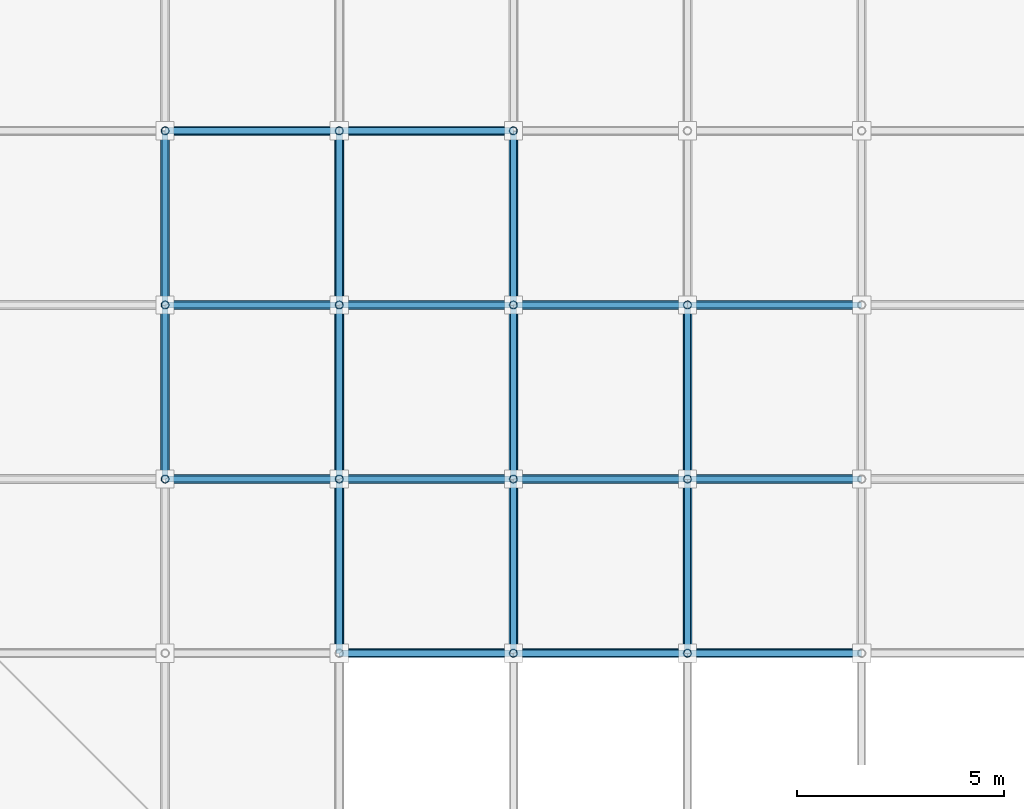
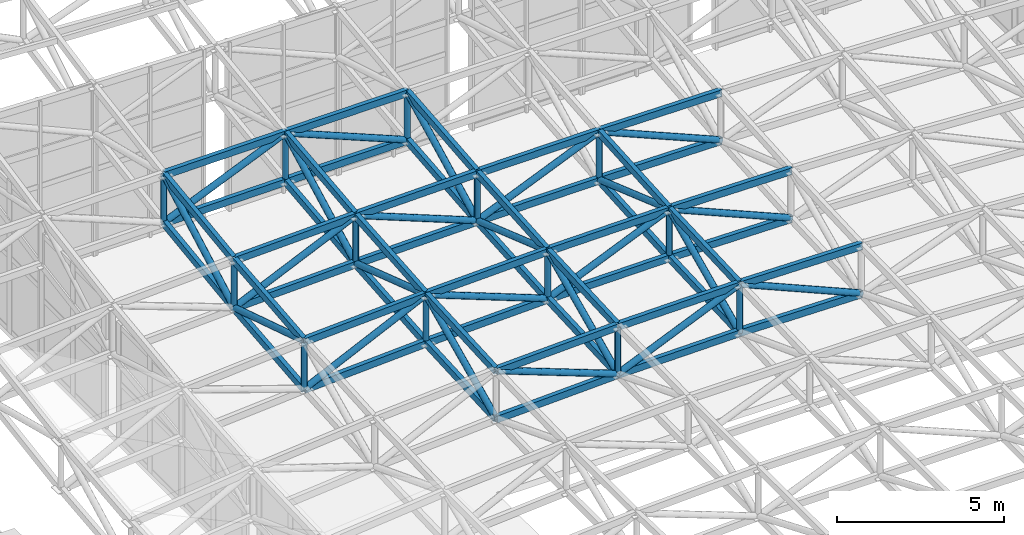
# One storey, part 28 of 132: 82 members.
"""IFC4 building model written with IfcOpenShell, lengths in metres."""

from ifc_helpers import new_model, si_unit, direction, frame, origin, origin_2d, place, context, subcontext, project, spatial, hollow_rectangle, hollow_circle, extrude, material, material_profile, profile_set, type_object, element, save


model = new_model("IFC4")

# Units and contexts
model_context = context("Model", 3, precision=1e-05, world=origin(), true_north=direction((0.0, 1.0)))
body_context = subcontext(model_context, "Body", "Model", "MODEL_VIEW")
ifc_project = project(units=[si_unit("LENGTHUNIT", "METRE"), si_unit("AREAUNIT", "SQUARE_METRE"), si_unit("VOLUMEUNIT", "CUBIC_METRE"), si_unit("PLANEANGLEUNIT", "RADIAN"), si_unit("MASSUNIT", "GRAM", prefix="KILO")], contexts=[model_context])

# Site, building, storey
site_placement = place(None, origin())
site = spatial("IfcSite", under=ifc_project, at=site_placement, CompositionType="ELEMENT")
building_placement = place(site_placement, origin())
building = spatial("IfcBuilding", under=site, at=building_placement, Name="Cumbredor Promenade Congress Hotel", CompositionType="ELEMENT")
storey_placement = place(building_placement, frame((0.0, 0.0, 7.56005859375)))
storey = spatial("IfcBuildingStorey", under=building, at=storey_placement, Name="L02", CompositionType="ELEMENT", Elevation=7.56005859375)

# Members
ifc_material = material(Name="Steel ASTM A500 Grade C", Category="steel")
ifc_material_profile_1 = material_profile(ifc_material, hollow_rectangle(XDim=0.14990234375, YDim=0.25, WallThickness=0.012451171875, at=origin_2d()), Name="HSS 250x150x12.5")
ifc_profile_set_1 = profile_set([ifc_material_profile_1], Name="Steel ASTM A500 Grade C")
member_type_1 = type_object("IfcMemberType", Name="Spa Roof Space Frame Chord", PredefinedType="CHORD", material=ifc_profile_set_1)
for number, where, z_axis, x_axis, name in (
    (1, (84.0, 33.60009765625, 4.450439453125), (0.99924695008, 0.0, 0.038801195295), (0.0, 1.0, 0.0), "Thermal Spa and Hydrotherapy Pavilion X Top Chord 4.9"),
    (2, (84.0, 33.60009765625, 2.700439453125), (0.99924695008, 0.0, 0.038801195295), (0.0, 1.0, 0.0), "Thermal Spa and Hydrotherapy Pavilion X Bottom Chord 4.9"),
):
    element("IfcMember", number, at=place(storey_placement, frame(where, z_axis=z_axis, x_axis=x_axis)), inside=storey, type_object=member_type_1, Name=name, PredefinedType="CHORD", context=body_context, shape_type="SweptSolid", body=[
        extrude(hollow_rectangle(XDim=0.14990234375, YDim=0.25, WallThickness=0.012451171875, at=origin_2d()), origin(), (0.0, 0.0, 1.0), 4.203125),
    ])
for number, where, z_axis, x_axis, name in (
    (3, (88.199951171875, 33.60009765625, 4.613525390625), (0.999915237757, 0.0, 0.013019881024), (0.0, 1.0, 0.0), "Thermal Spa and Hydrotherapy Pavilion X Top Chord 5.9"),
    (4, (88.199951171875, 33.60009765625, 2.863525390625), (0.999915237757, 0.0, 0.013019881024), (0.0, 1.0, 0.0), "Thermal Spa and Hydrotherapy Pavilion X Bottom Chord 5.9"),
):
    element("IfcMember", number, at=place(storey_placement, frame(where, z_axis=z_axis, x_axis=x_axis)), inside=storey, type_object=member_type_1, Name=name, PredefinedType="CHORD", context=body_context, shape_type="SweptSolid", body=[
        extrude(hollow_rectangle(XDim=0.14990234375, YDim=0.25, WallThickness=0.012451171875, at=origin_2d()), origin(), (0.0, 0.0, 1.0), 4.2001953125),
    ])
for number, where, z_axis, x_axis, name in (
    (5, (92.39990234375, 33.60009765625, 4.668212890625), (0.999915247609, 0.0, -0.013019124359), (0.0, 1.0, 0.0), "Thermal Spa and Hydrotherapy Pavilion X Top Chord 6.9"),
    (6, (92.39990234375, 33.60009765625, 2.918212890625), (0.999915247609, 0.0, -0.013019124359), (0.0, 1.0, 0.0), "Thermal Spa and Hydrotherapy Pavilion X Bottom Chord 6.9"),
):
    element("IfcMember", number, at=place(storey_placement, frame(where, z_axis=z_axis, x_axis=x_axis)), inside=storey, type_object=member_type_1, Name=name, PredefinedType="CHORD", context=body_context, shape_type="SweptSolid", body=[
        extrude(hollow_rectangle(XDim=0.14990234375, YDim=0.25, WallThickness=0.012451171875, at=origin_2d()), origin(), (0.0, 0.0, 1.0), 4.200439453125),
    ])
for number, where, z_axis, x_axis, name in (
    (7, (79.800048828125, 37.800048828125, 4.458984375), (0.998616064852, 0.0, 0.052592347541), (0.0, 1.0, 0.0), "Thermal Spa and Hydrotherapy Pavilion X Top Chord 3.10"),
    (8, (79.800048828125, 37.800048828125, 2.708984375), (0.998616064852, 0.0, 0.052592347541), (0.0, 1.0, 0.0), "Thermal Spa and Hydrotherapy Pavilion X Bottom Chord 3.10"),
):
    element("IfcMember", number, at=place(storey_placement, frame(where, z_axis=z_axis, x_axis=x_axis)), inside=storey, type_object=member_type_1, Name=name, PredefinedType="CHORD", context=body_context, shape_type="SweptSolid", body=[
        extrude(hollow_rectangle(XDim=0.14990234375, YDim=0.25, WallThickness=0.012451171875, at=origin_2d()), origin(), (0.0, 0.0, 1.0), 4.205810546875),
    ])
for number, where, z_axis, x_axis, name in (
    (9, (84.0, 37.800048828125, 4.68017578125), (0.999502220604, 0.0, 0.031548550008), (0.0, 1.0, 0.0), "Thermal Spa and Hydrotherapy Pavilion X Top Chord 4.10"),
    (10, (84.0, 37.800048828125, 2.93017578125), (0.999502220604, 0.0, 0.031548550008), (0.0, 1.0, 0.0), "Thermal Spa and Hydrotherapy Pavilion X Bottom Chord 4.10"),
):
    element("IfcMember", number, at=place(storey_placement, frame(where, z_axis=z_axis, x_axis=x_axis)), inside=storey, type_object=member_type_1, Name=name, PredefinedType="CHORD", context=body_context, shape_type="SweptSolid", body=[
        extrude(hollow_rectangle(XDim=0.14990234375, YDim=0.25, WallThickness=0.012451171875, at=origin_2d()), origin(), (0.0, 0.0, 1.0), 4.2021484375),
    ])
for number, where, z_axis, x_axis, name in (
    (11, (88.199951171875, 37.800048828125, 4.812744140625), (0.999944041257, 0.0, 0.01057895806), (0.0, 1.0, 0.0), "Thermal Spa and Hydrotherapy Pavilion X Top Chord 5.10"),
    (12, (88.199951171875, 37.800048828125, 3.062744140625), (0.999944041257, 0.0, 0.01057895806), (0.0, 1.0, 0.0), "Thermal Spa and Hydrotherapy Pavilion X Bottom Chord 5.10"),
):
    element("IfcMember", number, at=place(storey_placement, frame(where, z_axis=z_axis, x_axis=x_axis)), inside=storey, type_object=member_type_1, Name=name, PredefinedType="CHORD", context=body_context, shape_type="SweptSolid", body=[
        extrude(hollow_rectangle(XDim=0.14990234375, YDim=0.25, WallThickness=0.012451171875, at=origin_2d()), origin(), (0.0, 0.0, 1.0), 4.2001953125),
    ])
for number, where, z_axis, x_axis, name in (
    (13, (92.39990234375, 37.800048828125, 4.857177734375), (0.999944047762, 0.0, -0.010578343216), (0.0, 1.0, 0.0), "Thermal Spa and Hydrotherapy Pavilion X Top Chord 6.10"),
    (14, (92.39990234375, 37.800048828125, 3.107177734375), (0.999944047762, 0.0, -0.010578343216), (0.0, 1.0, 0.0), "Thermal Spa and Hydrotherapy Pavilion X Bottom Chord 6.10"),
):
    element("IfcMember", number, at=place(storey_placement, frame(where, z_axis=z_axis, x_axis=x_axis)), inside=storey, type_object=member_type_1, Name=name, PredefinedType="CHORD", context=body_context, shape_type="SweptSolid", body=[
        extrude(hollow_rectangle(XDim=0.14990234375, YDim=0.25, WallThickness=0.012451171875, at=origin_2d()), origin(), (0.0, 0.0, 1.0), 4.200439453125),
    ])
for number, where, z_axis, x_axis, name in (
    (15, (79.800048828125, 42.0, 4.8798828125), (0.999406413259, 0.0, 0.03445027048), (0.0, 1.0, 0.0), "Thermal Spa and Hydrotherapy Pavilion X Top Chord 3.11"),
    (16, (79.800048828125, 42.0, 3.1298828125), (0.999406413259, 0.0, 0.03445027048), (0.0, 1.0, 0.0), "Thermal Spa and Hydrotherapy Pavilion X Bottom Chord 3.11"),
):
    element("IfcMember", number, at=place(storey_placement, frame(where, z_axis=z_axis, x_axis=x_axis)), inside=storey, type_object=member_type_1, Name=name, PredefinedType="CHORD", context=body_context, shape_type="SweptSolid", body=[
        extrude(hollow_rectangle(XDim=0.14990234375, YDim=0.25, WallThickness=0.012451171875, at=origin_2d()), origin(), (0.0, 0.0, 1.0), 4.202392578125),
    ])
for number, where, z_axis, x_axis, name in (
    (17, (84.0, 42.0, 5.024658203125), (0.999785946585, 0.0, 0.020689635353), (0.0, 1.0, 0.0), "Thermal Spa and Hydrotherapy Pavilion X Top Chord 4.11"),
    (18, (84.0, 42.0, 3.274658203125), (0.999785946585, 0.0, 0.020689635353), (0.0, 1.0, 0.0), "Thermal Spa and Hydrotherapy Pavilion X Bottom Chord 4.11"),
):
    element("IfcMember", number, at=place(storey_placement, frame(where, z_axis=z_axis, x_axis=x_axis)), inside=storey, type_object=member_type_1, Name=name, PredefinedType="CHORD", context=body_context, shape_type="SweptSolid", body=[
        extrude(hollow_rectangle(XDim=0.14990234375, YDim=0.25, WallThickness=0.012451171875, at=origin_2d()), origin(), (0.0, 0.0, 1.0), 4.200927734375),
    ])
for number, where, z_axis, x_axis, name in (
    (19, (88.199951171875, 42.0, 5.111572265625), (0.99997607566, 0.0, 0.006917232634), (0.0, 1.0, 0.0), "Thermal Spa and Hydrotherapy Pavilion X Top Chord 5.11"),
    (20, (88.199951171875, 42.0, 3.361572265625), (0.99997607566, 0.0, 0.006917232634), (0.0, 1.0, 0.0), "Thermal Spa and Hydrotherapy Pavilion X Bottom Chord 5.11"),
):
    element("IfcMember", number, at=place(storey_placement, frame(where, z_axis=z_axis, x_axis=x_axis)), inside=storey, type_object=member_type_1, Name=name, PredefinedType="CHORD", context=body_context, shape_type="SweptSolid", body=[
        extrude(hollow_rectangle(XDim=0.14990234375, YDim=0.25, WallThickness=0.012451171875, at=origin_2d()), origin(), (0.0, 0.0, 1.0), 4.199951171875),
    ])
for number, where, z_axis, x_axis, name in (
    (21, (92.39990234375, 42.0, 5.140625), (0.999976078441, 0.0, -0.006916830582), (0.0, 1.0, 0.0), "Thermal Spa and Hydrotherapy Pavilion X Top Chord 6.11"),
    (22, (92.39990234375, 42.0, 3.390625), (0.999976078441, 0.0, -0.006916830582), (0.0, 1.0, 0.0), "Thermal Spa and Hydrotherapy Pavilion X Bottom Chord 6.11"),
    (23, (79.800048828125, 46.199951171875, 5.44091796875), (0.999947073439, 0.0, 0.010288358542), (0.0, 1.0, 0.0), "Thermal Spa and Hydrotherapy Pavilion X Top Chord 3.12"),
    (24, (79.800048828125, 46.199951171875, 3.69091796875), (0.999947073439, 0.0, 0.010288358542), (0.0, 1.0, 0.0), "Thermal Spa and Hydrotherapy Pavilion X Bottom Chord 3.12"),
):
    element("IfcMember", number, at=place(storey_placement, frame(where, z_axis=z_axis, x_axis=x_axis)), inside=storey, type_object=member_type_1, Name=name, PredefinedType="CHORD", context=body_context, shape_type="SweptSolid", body=[
        extrude(hollow_rectangle(XDim=0.14990234375, YDim=0.25, WallThickness=0.012451171875, at=origin_2d()), origin(), (0.0, 0.0, 1.0), 4.2001953125),
    ])
for number, where, z_axis, x_axis, name in (
    (25, (84.0, 46.199951171875, 5.484130859375), (0.999981017169, 0.0, 0.006161599013), (0.0, 1.0, 0.0), "Thermal Spa and Hydrotherapy Pavilion X Top Chord 4.12"),
    (26, (84.0, 46.199951171875, 3.734130859375), (0.999981017169, 0.0, 0.006161599013), (0.0, 1.0, 0.0), "Thermal Spa and Hydrotherapy Pavilion X Bottom Chord 4.12"),
):
    element("IfcMember", number, at=place(storey_placement, frame(where, z_axis=z_axis, x_axis=x_axis)), inside=storey, type_object=member_type_1, Name=name, PredefinedType="CHORD", context=body_context, shape_type="SweptSolid", body=[
        extrude(hollow_rectangle(XDim=0.14990234375, YDim=0.25, WallThickness=0.012451171875, at=origin_2d()), origin(), (0.0, 0.0, 1.0), 4.199951171875),
    ])
for number, where, z_axis, x_axis, name in (
    (27, (79.800048828125, 37.800048828125, 4.458984375), (0.0, 0.995015978857, 0.099715604694), (-1.0, 0.0, 0.0), "Thermal Spa and Hydrotherapy Pavilion Y Top Chord 3.10"),
    (28, (79.800048828125, 37.800048828125, 2.708984375), (0.0, 0.995015978857, 0.099715604694), (-1.0, 0.0, 0.0), "Thermal Spa and Hydrotherapy Pavilion Y Bottom Chord 3.10"),
):
    element("IfcMember", number, at=place(storey_placement, frame(where, z_axis=z_axis, x_axis=x_axis)), inside=storey, type_object=member_type_1, Name=name, PredefinedType="CHORD", context=body_context, shape_type="SweptSolid", body=[
        extrude(hollow_rectangle(XDim=0.14990234375, YDim=0.25, WallThickness=0.012451171875, at=origin_2d()), origin(), (0.0, 0.0, 1.0), 4.220947265625),
    ])
for number, where, z_axis, x_axis, name in (
    (29, (79.800048828125, 42.0, 4.8798828125), (0.0, 0.99119566578, 0.13240525722), (-1.0, 0.0, 0.0), "Thermal Spa and Hydrotherapy Pavilion Y Top Chord 3.11"),
    (30, (79.800048828125, 42.0, 3.1298828125), (0.0, 0.99119566578, 0.13240525722), (-1.0, 0.0, 0.0), "Thermal Spa and Hydrotherapy Pavilion Y Bottom Chord 3.11"),
):
    element("IfcMember", number, at=place(storey_placement, frame(where, z_axis=z_axis, x_axis=x_axis)), inside=storey, type_object=member_type_1, Name=name, PredefinedType="CHORD", context=body_context, shape_type="SweptSolid", body=[
        extrude(hollow_rectangle(XDim=0.14990234375, YDim=0.25, WallThickness=0.012451171875, at=origin_2d()), origin(), (0.0, 0.0, 1.0), 4.2373046875),
    ])
for number, where, z_axis, x_axis, name in (
    (31, (84.0, 33.60009765625, 4.450439453125), (0.0, 0.998507316855, 0.054618112257), (-1.0, 0.0, 0.0), "Thermal Spa and Hydrotherapy Pavilion Y Top Chord 4.9"),
    (32, (84.0, 33.60009765625, 2.700439453125), (0.0, 0.998507316855, 0.054618112257), (-1.0, 0.0, 0.0), "Thermal Spa and Hydrotherapy Pavilion Y Bottom Chord 4.9"),
):
    element("IfcMember", number, at=place(storey_placement, frame(where, z_axis=z_axis, x_axis=x_axis)), inside=storey, type_object=member_type_1, Name=name, PredefinedType="CHORD", context=body_context, shape_type="SweptSolid", body=[
        extrude(hollow_rectangle(XDim=0.14990234375, YDim=0.25, WallThickness=0.012451171875, at=origin_2d()), origin(), (0.0, 0.0, 1.0), 4.206298828125),
    ])
for number, where, z_axis, x_axis, name in (
    (33, (84.0, 37.800048828125, 4.68017578125), (0.0, 0.996653189411, 0.081746070468), (-1.0, 0.0, 0.0), "Thermal Spa and Hydrotherapy Pavilion Y Top Chord 4.10"),
    (34, (84.0, 37.800048828125, 2.93017578125), (0.0, 0.996653189411, 0.081746070468), (-1.0, 0.0, 0.0), "Thermal Spa and Hydrotherapy Pavilion Y Bottom Chord 4.10"),
):
    element("IfcMember", number, at=place(storey_placement, frame(where, z_axis=z_axis, x_axis=x_axis)), inside=storey, type_object=member_type_1, Name=name, PredefinedType="CHORD", context=body_context, shape_type="SweptSolid", body=[
        extrude(hollow_rectangle(XDim=0.14990234375, YDim=0.25, WallThickness=0.012451171875, at=origin_2d()), origin(), (0.0, 0.0, 1.0), 4.214111328125),
    ])
for number, where, z_axis, x_axis, name in (
    (35, (84.0, 42.0, 5.024658203125), (0.0, 0.99406905665, 0.108750680964), (-1.0, 0.0, 0.0), "Thermal Spa and Hydrotherapy Pavilion Y Top Chord 4.11"),
    (36, (84.0, 42.0, 3.274658203125), (0.0, 0.99406905665, 0.108750680964), (-1.0, 0.0, 0.0), "Thermal Spa and Hydrotherapy Pavilion Y Bottom Chord 4.11"),
):
    element("IfcMember", number, at=place(storey_placement, frame(where, z_axis=z_axis, x_axis=x_axis)), inside=storey, type_object=member_type_1, Name=name, PredefinedType="CHORD", context=body_context, shape_type="SweptSolid", body=[
        extrude(hollow_rectangle(XDim=0.14990234375, YDim=0.25, WallThickness=0.012451171875, at=origin_2d()), origin(), (0.0, 0.0, 1.0), 4.22509765625),
    ])
for number, where, z_axis, x_axis, name in (
    (37, (88.199951171875, 33.60009765625, 4.613525390625), (0.0, 0.998876922197, 0.047380315556), (-1.0, 0.0, 0.0), "Thermal Spa and Hydrotherapy Pavilion Y Top Chord 5.9"),
    (38, (88.199951171875, 33.60009765625, 2.863525390625), (0.0, 0.998876922197, 0.047380315556), (-1.0, 0.0, 0.0), "Thermal Spa and Hydrotherapy Pavilion Y Bottom Chord 5.9"),
):
    element("IfcMember", number, at=place(storey_placement, frame(where, z_axis=z_axis, x_axis=x_axis)), inside=storey, type_object=member_type_1, Name=name, PredefinedType="CHORD", context=body_context, shape_type="SweptSolid", body=[
        extrude(hollow_rectangle(XDim=0.14990234375, YDim=0.25, WallThickness=0.012451171875, at=origin_2d()), origin(), (0.0, 0.0, 1.0), 4.20458984375),
    ])
for number, where, z_axis, x_axis, name in (
    (39, (88.199951171875, 37.800048828125, 4.812744140625), (0.0, 0.997478381667, 0.070970966643), (-1.0, 0.0, 0.0), "Thermal Spa and Hydrotherapy Pavilion Y Top Chord 5.10"),
    (40, (88.199951171875, 37.800048828125, 3.062744140625), (0.0, 0.997478381667, 0.070970966643), (-1.0, 0.0, 0.0), "Thermal Spa and Hydrotherapy Pavilion Y Bottom Chord 5.10"),
):
    element("IfcMember", number, at=place(storey_placement, frame(where, z_axis=z_axis, x_axis=x_axis)), inside=storey, type_object=member_type_1, Name=name, PredefinedType="CHORD", context=body_context, shape_type="SweptSolid", body=[
        extrude(hollow_rectangle(XDim=0.14990234375, YDim=0.25, WallThickness=0.012451171875, at=origin_2d()), origin(), (0.0, 0.0, 1.0), 4.21044921875),
    ])
for number, where, z_axis, x_axis, name in (
    (41, (88.199951171875, 42.0, 5.111572265625), (0.0, 0.995530257121, 0.094443142453), (-1.0, 0.0, 0.0), "Thermal Spa and Hydrotherapy Pavilion Y Top Chord 5.11"),
    (42, (88.199951171875, 42.0, 3.361572265625), (0.0, 0.995530257121, 0.094443142453), (-1.0, 0.0, 0.0), "Thermal Spa and Hydrotherapy Pavilion Y Bottom Chord 5.11"),
):
    element("IfcMember", number, at=place(storey_placement, frame(where, z_axis=z_axis, x_axis=x_axis)), inside=storey, type_object=member_type_1, Name=name, PredefinedType="CHORD", context=body_context, shape_type="SweptSolid", body=[
        extrude(hollow_rectangle(XDim=0.14990234375, YDim=0.25, WallThickness=0.012451171875, at=origin_2d()), origin(), (0.0, 0.0, 1.0), 4.21875),
    ])
for number, where, z_axis, x_axis, name in (
    (43, (92.39990234375, 33.60009765625, 4.668212890625), (0.0, 0.99898938718, 0.044946682885), (-1.0, 0.0, 0.0), "Thermal Spa and Hydrotherapy Pavilion Y Top Chord 6.9"),
    (44, (92.39990234375, 33.60009765625, 2.918212890625), (0.0, 0.99898938718, 0.044946682885), (-1.0, 0.0, 0.0), "Thermal Spa and Hydrotherapy Pavilion Y Bottom Chord 6.9"),
):
    element("IfcMember", number, at=place(storey_placement, frame(where, z_axis=z_axis, x_axis=x_axis)), inside=storey, type_object=member_type_1, Name=name, PredefinedType="CHORD", context=body_context, shape_type="SweptSolid", body=[
        extrude(hollow_rectangle(XDim=0.14990234375, YDim=0.25, WallThickness=0.012451171875, at=origin_2d()), origin(), (0.0, 0.0, 1.0), 4.2041015625),
    ])
for number, where, z_axis, x_axis, name in (
    (45, (92.39990234375, 37.800048828125, 4.857177734375), (0.0, 0.997730419429, 0.067335058824), (-1.0, 0.0, 0.0), "Thermal Spa and Hydrotherapy Pavilion Y Top Chord 6.10"),
    (46, (92.39990234375, 37.800048828125, 3.107177734375), (0.0, 0.997730419429, 0.067335058824), (-1.0, 0.0, 0.0), "Thermal Spa and Hydrotherapy Pavilion Y Bottom Chord 6.10"),
):
    element("IfcMember", number, at=place(storey_placement, frame(where, z_axis=z_axis, x_axis=x_axis)), inside=storey, type_object=member_type_1, Name=name, PredefinedType="CHORD", context=body_context, shape_type="SweptSolid", body=[
        extrude(hollow_rectangle(XDim=0.14990234375, YDim=0.25, WallThickness=0.012451171875, at=origin_2d()), origin(), (0.0, 0.0, 1.0), 4.20947265625),
    ])
ifc_material_profile_2 = material_profile(ifc_material, hollow_circle(Radius=0.109619140625, WallThickness=0.012451171875, at=origin_2d()), Name="CHS 219.1x12.5")
ifc_profile_set_2 = profile_set([ifc_material_profile_2], Name="Steel ASTM A500 Grade C")
member_type_2 = type_object("IfcMemberType", Name="Space Frame Web Diagonal D1", PredefinedType="BRACE", material=ifc_profile_set_2)
member_1_placement = place(storey_placement, frame((84.0, 33.60009765625, 4.450439453125), z_axis=(0.935452517347, 0.0, -0.353452384047), x_axis=(0.0, 1.0, 0.0)))
element("IfcMember", 47, at=member_1_placement, inside=storey, type_object=member_type_2, Name="Thermal Spa and Hydrotherapy Pavilion X Web Diagonal 4.9", PredefinedType="BRACE", context=body_context, shape_type="SweptSolid", body=[
    extrude(hollow_circle(Radius=0.109619140625, WallThickness=0.012451171875, at=origin_2d()), origin(), (0.0, 0.0, 1.0), 4.48974609375),
])
member_2_placement = place(storey_placement, frame((88.199951171875, 33.60009765625, 2.863525390625), z_axis=(0.918771685429, 0.0, 0.394789298302), x_axis=(0.0, 1.0, 0.0)))
element("IfcMember", 48, at=member_2_placement, inside=storey, type_object=member_type_2, Name="Thermal Spa and Hydrotherapy Pavilion X Web Diagonal 5.9", PredefinedType="BRACE", context=body_context, shape_type="SweptSolid", body=[
    extrude(hollow_circle(Radius=0.109619140625, WallThickness=0.012451171875, at=origin_2d()), origin(), (0.0, 0.0, 1.0), 4.5712890625),
])
member_3_placement = place(storey_placement, frame((92.39990234375, 33.60009765625, 4.668212890625), z_axis=(0.918780008856, 0.0, -0.394769927079), x_axis=(0.0, 1.0, 0.0)))
element("IfcMember", 49, at=member_3_placement, inside=storey, type_object=member_type_2, Name="Thermal Spa and Hydrotherapy Pavilion X Web Diagonal 6.9", PredefinedType="BRACE", context=body_context, shape_type="SweptSolid", body=[
    extrude(hollow_circle(Radius=0.109619140625, WallThickness=0.012451171875, at=origin_2d()), origin(), (0.0, 0.0, 1.0), 4.571533203125),
])
member_4_placement = place(storey_placement, frame((79.800048828125, 37.800048828125, 2.708984375), z_axis=(0.905254705421, 0.0, 0.424869295563), x_axis=(0.0, 1.0, 0.0)))
element("IfcMember", 50, at=member_4_placement, inside=storey, type_object=member_type_2, Name="Thermal Spa and Hydrotherapy Pavilion X Web Diagonal 3.10", PredefinedType="BRACE", context=body_context, shape_type="SweptSolid", body=[
    extrude(hollow_circle(Radius=0.109619140625, WallThickness=0.012451171875, at=origin_2d()), origin(), (0.0, 0.0, 1.0), 4.639404296875),
])
member_5_placement = place(storey_placement, frame((84.0, 37.800048828125, 4.68017578125), z_axis=(0.93319173071, 0.0, -0.359378899957), x_axis=(0.0, 1.0, 0.0)))
element("IfcMember", 51, at=member_5_placement, inside=storey, type_object=member_type_2, Name="Thermal Spa and Hydrotherapy Pavilion X Web Diagonal 4.10", PredefinedType="BRACE", context=body_context, shape_type="SweptSolid", body=[
    extrude(hollow_circle(Radius=0.109619140625, WallThickness=0.012451171875, at=origin_2d()), origin(), (0.0, 0.0, 1.0), 4.500732421875),
])
member_6_placement = place(storey_placement, frame((88.199951171875, 37.800048828125, 3.062744140625), z_axis=(0.919584077824, 0.0, 0.392893272802), x_axis=(0.0, 1.0, 0.0)))
element("IfcMember", 52, at=member_6_placement, inside=storey, type_object=member_type_2, Name="Thermal Spa and Hydrotherapy Pavilion X Web Diagonal 5.10", PredefinedType="BRACE", context=body_context, shape_type="SweptSolid", body=[
    extrude(hollow_circle(Radius=0.109619140625, WallThickness=0.012451171875, at=origin_2d()), origin(), (0.0, 0.0, 1.0), 4.567138671875),
])
member_7_placement = place(storey_placement, frame((92.39990234375, 37.800048828125, 4.857177734375), z_axis=(0.919592328783, 0.0, -0.392873960506), x_axis=(0.0, 1.0, 0.0)))
element("IfcMember", 53, at=member_7_placement, inside=storey, type_object=member_type_2, Name="Thermal Spa and Hydrotherapy Pavilion X Web Diagonal 6.10", PredefinedType="BRACE", context=body_context, shape_type="SweptSolid", body=[
    extrude(hollow_circle(Radius=0.109619140625, WallThickness=0.012451171875, at=origin_2d()), origin(), (0.0, 0.0, 1.0), 4.5673828125),
])
member_8_placement = place(storey_placement, frame((79.800048828125, 42.0, 3.1298828125), z_axis=(0.911531459571, 0.0, 0.411230346901), x_axis=(0.0, 1.0, 0.0)))
element("IfcMember", 54, at=member_8_placement, inside=storey, type_object=member_type_2, Name="Thermal Spa and Hydrotherapy Pavilion X Web Diagonal 3.11", PredefinedType="BRACE", context=body_context, shape_type="SweptSolid", body=[
    extrude(hollow_circle(Radius=0.109619140625, WallThickness=0.012451171875, at=origin_2d()), origin(), (0.0, 0.0, 1.0), 4.607666015625),
])
member_9_placement = place(storey_placement, frame((84.0, 42.0, 5.024658203125), z_axis=(0.929760752579, 0.0, -0.368164288006), x_axis=(0.0, 1.0, 0.0)))
element("IfcMember", 55, at=member_9_placement, inside=storey, type_object=member_type_2, Name="Thermal Spa and Hydrotherapy Pavilion X Web Diagonal 4.11", PredefinedType="BRACE", context=body_context, shape_type="SweptSolid", body=[
    extrude(hollow_circle(Radius=0.109619140625, WallThickness=0.012451171875, at=origin_2d()), origin(), (0.0, 0.0, 1.0), 4.517333984375),
])
member_10_placement = place(storey_placement, frame((88.199951171875, 42.0, 3.361572265625), z_axis=(0.920797991665, 0.0, 0.390039816617), x_axis=(0.0, 1.0, 0.0)))
element("IfcMember", 56, at=member_10_placement, inside=storey, type_object=member_type_2, Name="Thermal Spa and Hydrotherapy Pavilion X Web Diagonal 5.11", PredefinedType="BRACE", context=body_context, shape_type="SweptSolid", body=[
    extrude(hollow_circle(Radius=0.109619140625, WallThickness=0.012451171875, at=origin_2d()), origin(), (0.0, 0.0, 1.0), 4.561279296875),
])
member_11_placement = place(storey_placement, frame((92.39990234375, 42.0, 5.140625), z_axis=(0.920806133943, 0.0, -0.390020593934), x_axis=(0.0, 1.0, 0.0)))
element("IfcMember", 57, at=member_11_placement, inside=storey, type_object=member_type_2, Name="Thermal Spa and Hydrotherapy Pavilion X Web Diagonal 6.11", PredefinedType="BRACE", context=body_context, shape_type="SweptSolid", body=[
    extrude(hollow_circle(Radius=0.109619140625, WallThickness=0.012451171875, at=origin_2d()), origin(), (0.0, 0.0, 1.0), 4.5615234375),
])
member_12_placement = place(storey_placement, frame((79.800048828125, 46.199951171875, 3.69091796875), z_axis=(0.91968062597, 0.0, 0.392667220703), x_axis=(0.0, 1.0, 0.0)))
element("IfcMember", 58, at=member_12_placement, inside=storey, type_object=member_type_2, Name="Thermal Spa and Hydrotherapy Pavilion X Web Diagonal 3.12", PredefinedType="BRACE", context=body_context, shape_type="SweptSolid", body=[
    extrude(hollow_circle(Radius=0.109619140625, WallThickness=0.012451171875, at=origin_2d()), origin(), (0.0, 0.0, 1.0), 4.566650390625),
])
member_13_placement = place(storey_placement, frame((84.0, 46.199951171875, 5.484130859375), z_axis=(0.925086285307, 0.0, -0.379756981157), x_axis=(0.0, 1.0, 0.0)))
element("IfcMember", 59, at=member_13_placement, inside=storey, type_object=member_type_2, Name="Thermal Spa and Hydrotherapy Pavilion X Web Diagonal 4.12", PredefinedType="BRACE", context=body_context, shape_type="SweptSolid", body=[
    extrude(hollow_circle(Radius=0.109619140625, WallThickness=0.012451171875, at=origin_2d()), origin(), (0.0, 0.0, 1.0), 4.5400390625),
])
member_14_placement = place(storey_placement, frame((79.800048828125, 37.800048828125, 4.458984375), z_axis=(0.0, 0.953399895138, -0.301709529101), x_axis=(-1.0, 0.0, 0.0)))
element("IfcMember", 60, at=member_14_placement, inside=storey, type_object=member_type_2, Name="Thermal Spa and Hydrotherapy Pavilion Y Web Diagonal 3.10", PredefinedType="BRACE", context=body_context, shape_type="SweptSolid", body=[
    extrude(hollow_circle(Radius=0.109619140625, WallThickness=0.012451171875, at=origin_2d()), origin(), (0.0, 0.0, 1.0), 4.4052734375),
])
member_15_placement = place(storey_placement, frame((79.800048828125, 42.0, 3.1298828125), z_axis=(0.0, 0.876122344109, 0.482088828073), x_axis=(-1.0, 0.0, 0.0)))
element("IfcMember", 61, at=member_15_placement, inside=storey, type_object=member_type_2, Name="Thermal Spa and Hydrotherapy Pavilion Y Web Diagonal 3.11", PredefinedType="BRACE", context=body_context, shape_type="SweptSolid", body=[
    extrude(hollow_circle(Radius=0.109619140625, WallThickness=0.012451171875, at=origin_2d()), origin(), (0.0, 0.0, 1.0), 4.793701171875),
])
member_16_placement = place(storey_placement, frame((84.0, 33.60009765625, 2.700439453125), z_axis=(0.0, 0.904545633025, 0.42637682603), x_axis=(-1.0, 0.0, 0.0)))
element("IfcMember", 62, at=member_16_placement, inside=storey, type_object=member_type_2, Name="Thermal Spa and Hydrotherapy Pavilion Y Web Diagonal 4.9", PredefinedType="BRACE", context=body_context, shape_type="SweptSolid", body=[
    extrude(hollow_circle(Radius=0.109619140625, WallThickness=0.012451171875, at=origin_2d()), origin(), (0.0, 0.0, 1.0), 4.64306640625),
])
member_17_placement = place(storey_placement, frame((84.0, 37.800048828125, 4.68017578125), z_axis=(0.0, 0.948307784552, -0.317352084849), x_axis=(-1.0, 0.0, 0.0)))
element("IfcMember", 63, at=member_17_placement, inside=storey, type_object=member_type_2, Name="Thermal Spa and Hydrotherapy Pavilion Y Web Diagonal 4.10", PredefinedType="BRACE", context=body_context, shape_type="SweptSolid", body=[
    extrude(hollow_circle(Radius=0.109619140625, WallThickness=0.012451171875, at=origin_2d()), origin(), (0.0, 0.0, 1.0), 4.428955078125),
])
member_18_placement = place(storey_placement, frame((84.0, 42.0, 3.274658203125), z_axis=(0.0, 0.885007481527, 0.465576801013), x_axis=(-1.0, 0.0, 0.0)))
element("IfcMember", 64, at=member_18_placement, inside=storey, type_object=member_type_2, Name="Thermal Spa and Hydrotherapy Pavilion Y Web Diagonal 4.11", PredefinedType="BRACE", context=body_context, shape_type="SweptSolid", body=[
    extrude(hollow_circle(Radius=0.109619140625, WallThickness=0.012451171875, at=origin_2d()), origin(), (0.0, 0.0, 1.0), 4.74560546875),
])
member_19_placement = place(storey_placement, frame((88.199951171875, 33.60009765625, 2.863525390625), z_axis=(0.0, 0.907071533627, 0.42097652296), x_axis=(-1.0, 0.0, 0.0)))
element("IfcMember", 65, at=member_19_placement, inside=storey, type_object=member_type_2, Name="Thermal Spa and Hydrotherapy Pavilion Y Web Diagonal 5.9", PredefinedType="BRACE", context=body_context, shape_type="SweptSolid", body=[
    extrude(hollow_circle(Radius=0.109619140625, WallThickness=0.012451171875, at=origin_2d()), origin(), (0.0, 0.0, 1.0), 4.630126953125),
])
member_20_placement = place(storey_placement, frame((88.199951171875, 37.800048828125, 4.812744140625), z_axis=(0.0, 0.945170780931, -0.326576476304), x_axis=(-1.0, 0.0, 0.0)))
element("IfcMember", 66, at=member_20_placement, inside=storey, type_object=member_type_2, Name="Thermal Spa and Hydrotherapy Pavilion Y Web Diagonal 5.10", PredefinedType="BRACE", context=body_context, shape_type="SweptSolid", body=[
    extrude(hollow_circle(Radius=0.109619140625, WallThickness=0.012451171875, at=origin_2d()), origin(), (0.0, 0.0, 1.0), 4.443603515625),
])
member_21_placement = place(storey_placement, frame((88.199951171875, 42.0, 3.361572265625), z_axis=(0.0, 0.890280369547, 0.45541284962), x_axis=(-1.0, 0.0, 0.0)))
element("IfcMember", 67, at=member_21_placement, inside=storey, type_object=member_type_2, Name="Thermal Spa and Hydrotherapy Pavilion Y Web Diagonal 5.11", PredefinedType="BRACE", context=body_context, shape_type="SweptSolid", body=[
    extrude(hollow_circle(Radius=0.109619140625, WallThickness=0.012451171875, at=origin_2d()), origin(), (0.0, 0.0, 1.0), 4.717529296875),
])
member_22_placement = place(storey_placement, frame((92.39990234375, 33.60009765625, 2.918212890625), z_axis=(0.0, 0.907916128584, 0.419151885904), x_axis=(-1.0, 0.0, 0.0)))
element("IfcMember", 68, at=member_22_placement, inside=storey, type_object=member_type_2, Name="Thermal Spa and Hydrotherapy Pavilion Y Web Diagonal 6.9", PredefinedType="BRACE", context=body_context, shape_type="SweptSolid", body=[
    extrude(hollow_circle(Radius=0.109619140625, WallThickness=0.012451171875, at=origin_2d()), origin(), (0.0, 0.0, 1.0), 4.6259765625),
])
member_23_placement = place(storey_placement, frame((92.39990234375, 37.800048828125, 4.857177734375), z_axis=(0.0, 0.944098526715, -0.329663422076), x_axis=(-1.0, 0.0, 0.0)))
element("IfcMember", 69, at=member_23_placement, inside=storey, type_object=member_type_2, Name="Thermal Spa and Hydrotherapy Pavilion Y Web Diagonal 6.10", PredefinedType="BRACE", context=body_context, shape_type="SweptSolid", body=[
    extrude(hollow_circle(Radius=0.109619140625, WallThickness=0.012451171875, at=origin_2d()), origin(), (0.0, 0.0, 1.0), 4.44873046875),
])
ifc_material_profile_3 = material_profile(ifc_material, hollow_circle(Radius=0.096923828125, WallThickness=0.010009765625, at=origin_2d()), Name="CHS 193.7x10")
ifc_profile_set_3 = profile_set([ifc_material_profile_3], Name="Steel ASTM A500 Grade C")
member_type_3 = type_object("IfcMemberType", Name="Space Frame Web Post P1", PredefinedType="BRACE", material=ifc_profile_set_3)
for number, where, z_axis, x_axis, name in (
    (70, (79.800048828125, 37.800048828125, 2.708984375), (0.0, 0.0, 1.0), (1.0, 0.0, 0.0), "Thermal Spa and Hydrotherapy Pavilion Space Frame Web Post 3.10"),
    (71, (79.800048828125, 42.0, 3.1298828125), (0.0, 0.0, 1.0), (1.0, 0.0, 0.0), "Thermal Spa and Hydrotherapy Pavilion Space Frame Web Post 3.11"),
    (72, (79.800048828125, 46.199951171875, 3.69091796875), (0.0, 0.0, 1.0), (1.0, 0.0, 0.0), "Thermal Spa and Hydrotherapy Pavilion Space Frame Web Post 3.12"),
    (73, (84.0, 37.800048828125, 2.93017578125), (0.0, 0.0, 1.0), (1.0, 0.0, 0.0), "Thermal Spa and Hydrotherapy Pavilion Space Frame Web Post 4.10"),
    (74, (84.0, 42.0, 3.274658203125), (0.0, 0.0, 1.0), (1.0, 0.0, 0.0), "Thermal Spa and Hydrotherapy Pavilion Space Frame Web Post 4.11"),
    (75, (84.0, 46.199951171875, 3.734130859375), (0.0, 0.0, 1.0), (1.0, 0.0, 0.0), "Thermal Spa and Hydrotherapy Pavilion Space Frame Web Post 4.12"),
    (76, (88.199951171875, 33.60009765625, 2.863525390625), (0.0, 0.0, 1.0), (1.0, 0.0, 0.0), "Thermal Spa and Hydrotherapy Pavilion Space Frame Web Post 5.9"),
    (77, (88.199951171875, 37.800048828125, 3.062744140625), (0.0, 0.0, 1.0), (1.0, 0.0, 0.0), "Thermal Spa and Hydrotherapy Pavilion Space Frame Web Post 5.10"),
    (78, (88.199951171875, 42.0, 3.361572265625), (0.0, 0.0, 1.0), (1.0, 0.0, 0.0), "Thermal Spa and Hydrotherapy Pavilion Space Frame Web Post 5.11"),
    (79, (88.199951171875, 46.199951171875, 3.760009765625), (0.0, 0.0, 1.0), (1.0, 0.0, 0.0), "Thermal Spa and Hydrotherapy Pavilion Space Frame Web Post 5.12"),
    (80, (92.39990234375, 33.60009765625, 2.918212890625), (0.0, 0.0, 1.0), (1.0, 0.0, 0.0), "Thermal Spa and Hydrotherapy Pavilion Space Frame Web Post 6.9"),
    (81, (92.39990234375, 37.800048828125, 3.107177734375), (0.0, 0.0, 1.0), (1.0, 0.0, 0.0), "Thermal Spa and Hydrotherapy Pavilion Space Frame Web Post 6.10"),
    (82, (92.39990234375, 42.0, 3.390625), (0.0, 0.0, 1.0), (1.0, 0.0, 0.0), "Thermal Spa and Hydrotherapy Pavilion Space Frame Web Post 6.11"),
):
    element("IfcMember", number, at=place(storey_placement, frame(where, z_axis=z_axis, x_axis=x_axis)), inside=storey, type_object=member_type_3, Name=name, PredefinedType="BRACE", context=body_context, shape_type="SweptSolid", body=[
        extrude(hollow_circle(Radius=0.096923828125, WallThickness=0.010009765625, at=origin_2d()), origin(), (0.0, 0.0, 1.0), 1.75),
    ])

save(model, "model.ifc")
